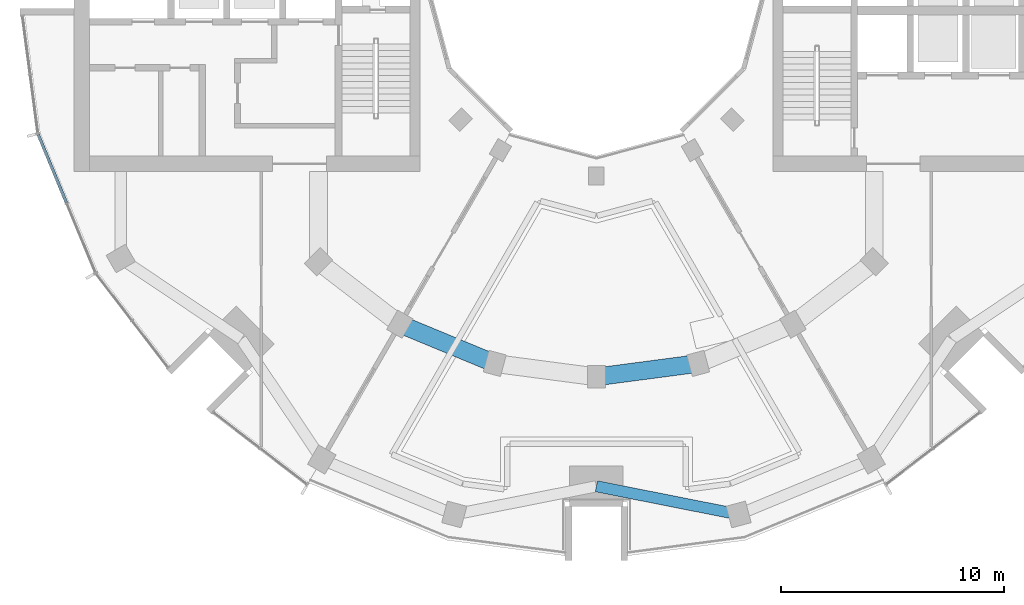
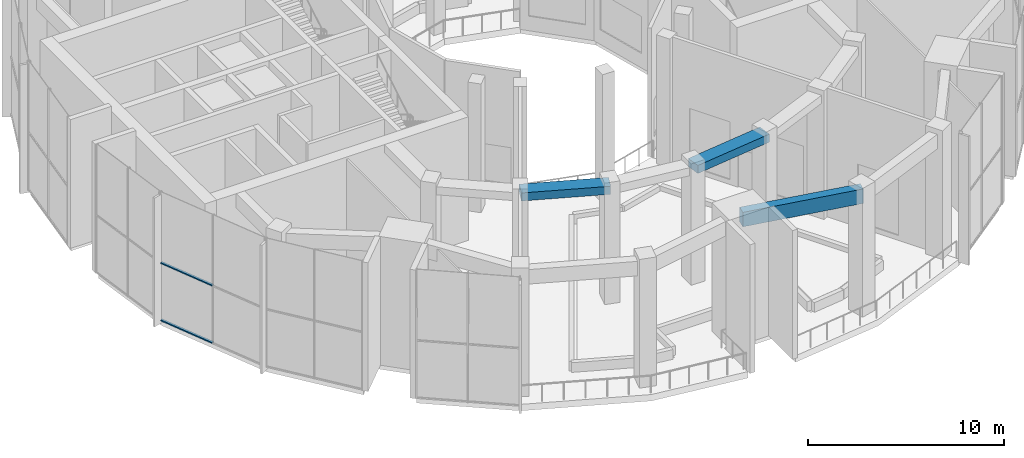
# One storey, part 3 of 18: 3 beams, 2 members, 1 element without a shape of its own.
"""IFC4 building model written with IfcOpenShell, lengths in metres."""

from ifc_helpers import new_model, si_unit, direction, frame, origin, origin_2d, place, context, subcontext, project, spatial, rectangle, extrude, material, layer, layer_set, material_profile, profile_set, type_object, element, aggregate, save


model = new_model("IFC4")

# Units and contexts
model_context = context("Model", 3, precision=1e-05, world=origin(), true_north=direction((0.0, 1.0)))
body_context = subcontext(model_context, "Body", "Model", "MODEL_VIEW")
ifc_project = project(units=[si_unit("LENGTHUNIT", "METRE"), si_unit("AREAUNIT", "SQUARE_METRE"), si_unit("VOLUMEUNIT", "CUBIC_METRE"), si_unit("PLANEANGLEUNIT", "RADIAN"), si_unit("MASSUNIT", "GRAM", prefix="KILO")], contexts=[model_context])

# Site, building, storey
site_placement = place(None, origin())
site = spatial("IfcSite", under=ifc_project, at=site_placement, CompositionType="ELEMENT")
building_placement = place(site_placement, origin())
building = spatial("IfcBuilding", under=site, at=building_placement, Name="Torre Brocal", CompositionType="ELEMENT")
storey_placement = place(building_placement, frame((0.0, 0.0, 149.699951171875)))
storey = spatial("IfcBuildingStorey", under=building, at=storey_placement, Name="L35", CompositionType="ELEMENT", Elevation=149.699951171875)

# Curtain wall, members
ifc_material_1 = material(Name="Aluminium and glass", Category="aluminium")
ifc_layer = layer(ifc_material_1, 0.199951171875)
ifc_layer_set = layer_set([ifc_layer], Name="Aluminium and glass")
curtain_wall_type = type_object("IfcCurtainWallType", Name="CW-4 CURTAIN WALL 8000 HIGH", PredefinedType="NOTDEFINED", material=ifc_layer_set)
curtain_wall_placement = place(storey_placement, origin())
curtain_wall = element("IfcCurtainWall", 1, at=curtain_wall_placement, inside=storey, type_object=curtain_wall_type, Name="CW-4 RUN 14", PredefinedType="NOTDEFINED")
ifc_material_2 = material(Name="Aluminium, dark anodised", Category="aluminium")
ifc_material_profile_1 = material_profile(ifc_material_2, rectangle(XDim=0.139892578125, YDim=0.070068359375, at=origin_2d()), Name="CW-4 TRANSOM 140X70")
ifc_profile_set_1 = profile_set([ifc_material_profile_1], Name="Aluminium, dark anodised")
member_type = type_object("IfcMemberType", Name="CW-4 TRANSOM 140X70", PredefinedType="USERDEFINED", material=ifc_profile_set_1)
member_1_placement = place(storey_placement, frame((55.00244140625, 68.250732421875, 0.03515625), z_axis=(0.382658376168, -0.92388991073, 0.0), x_axis=(0.92388991073, 0.382658376168, 0.0)))
member_1 = element("IfcMember", 2, at=member_1_placement, type_object=member_type, Name="CW4-1 transom 1.1", ObjectType="TRANSOM", PredefinedType="USERDEFINED", context=body_context, shape_type="SweptSolid", body=[
    extrude(rectangle(XDim=0.139892578125, YDim=0.070068359375, at=origin_2d()), origin(), (0.0, 0.0, 1.0), 3.305419921875),
])
member_2_placement = place(storey_placement, frame((55.00244140625, 68.250732421875, 3.60009765625), z_axis=(0.382658376168, -0.92388991073, 0.0), x_axis=(0.92388991073, 0.382658376168, 0.0)))
member_2 = element("IfcMember", 3, at=member_2_placement, type_object=member_type, Name="CW4-1 transom 1.2", ObjectType="TRANSOM", PredefinedType="USERDEFINED", context=body_context, shape_type="SweptSolid", body=[
    extrude(rectangle(XDim=0.139892578125, YDim=0.070068359375, at=origin_2d()), origin(), (0.0, 0.0, 1.0), 3.305419921875),
])
aggregate(curtain_wall, [member_1, member_2])

# Beams
ifc_material_3 = material(Name="Concrete C50", Category="concrete")
ifc_material_profile_2 = material_profile(ifc_material_3, rectangle(XDim=0.800048828125, YDim=0.5, at=origin_2d()), Name="RC 800X500")
ifc_profile_set_2 = profile_set([ifc_material_profile_2], Name="Concrete C50")
beam_type_1 = type_object("IfcBeamType", Name="RC BEAM 800X500 C50 TOP 7680", PredefinedType="BEAM", material=ifc_profile_set_2)
beam_1_placement = place(storey_placement, frame((71.199951171875, 59.758056640625, 7.429931640625), z_axis=(0.923878240166, -0.382686552348, 0.0), x_axis=(0.382686552348, 0.923878240166, 0.0)))
element("IfcBeam", 4, at=beam_1_placement, inside=storey, type_object=beam_type_1, Name="Beam BT-23", PredefinedType="BEAM", context=body_context, shape_type="SweptSolid", body=[
    extrude(rectangle(XDim=0.800048828125, YDim=0.5, at=origin_2d()), origin(), (0.0, 0.0, 1.0), 4.5947265625),
])
beam_2_placement = place(storey_placement, frame((80.0, 57.39990234375, 7.429931640625), z_axis=(0.991440544449, 0.130558978332, 0.0), x_axis=(-0.130558978332, 0.991440544449, 0.0)))
element("IfcBeam", 5, at=beam_2_placement, inside=storey, type_object=beam_type_1, Name="Beam BT-23", PredefinedType="BEAM", context=body_context, shape_type="SweptSolid", body=[
    extrude(rectangle(XDim=0.800048828125, YDim=0.5, at=origin_2d()), origin(), (0.0, 0.0, 1.0), 4.594482421875),
])
ifc_material_4 = material(Name="Concrete C50", Category="concrete")
ifc_material_profile_3 = material_profile(ifc_material_4, rectangle(XDim=0.5, YDim=0.89990234375, at=origin_2d()), Name="RC 500X900")
ifc_profile_set_3 = profile_set([ifc_material_profile_3], Name="Concrete C50")
beam_type_2 = type_object("IfcBeamType", Name="RC SPANDREL BEAM 500X900 C50 TOP 7680", PredefinedType="SPANDREL", material=ifc_profile_set_3)
beam_3_placement = place(storey_placement, frame((80.0, 52.5, 7.22998046875), z_axis=(0.980924907484, -0.194387051723, 0.0), x_axis=(0.194387051723, 0.980924907484, 0.0)))
element("IfcBeam", 6, at=beam_3_placement, inside=storey, type_object=beam_type_2, Name="Beam BT-24", PredefinedType="SPANDREL", context=body_context, shape_type="SweptSolid", body=[
    extrude(rectangle(XDim=0.5, YDim=0.89990234375, at=origin_2d()), origin(), (0.0, 0.0, 1.0), 6.49072265625),
])

save(model, "model.ifc")
